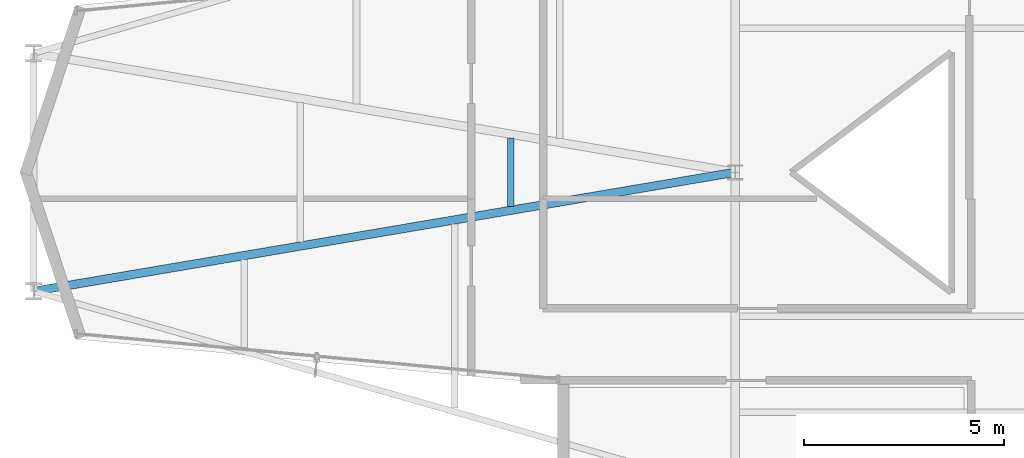
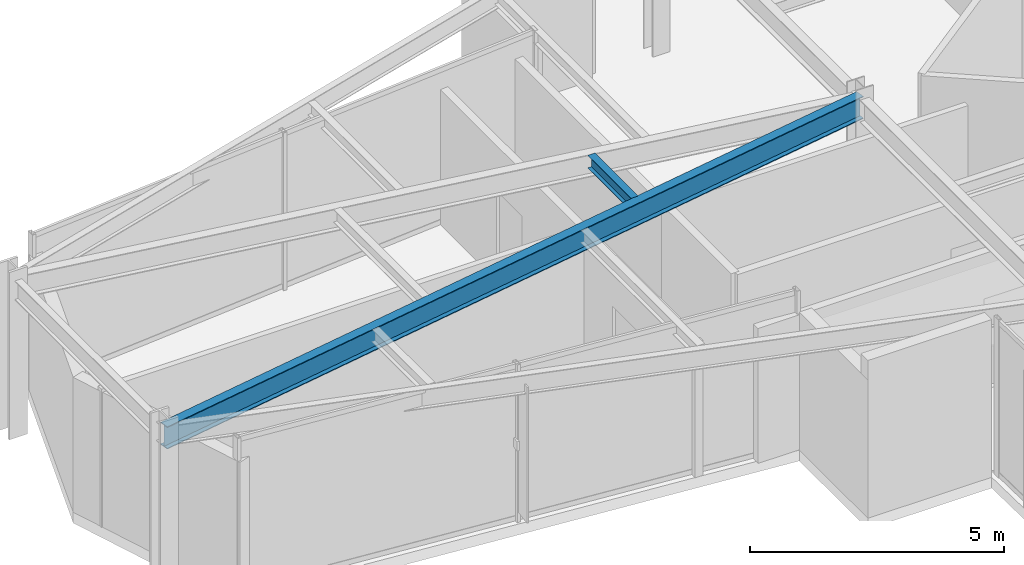
# One storey, part 5 of 24: 2 beams.
"""IFC4 building model written with IfcOpenShell, lengths in metres."""

from ifc_helpers import new_model, si_unit, direction, frame, origin, origin_2d, place, context, subcontext, project, spatial, i_section, extrude, material, material_profile, profile_set, type_object, element, save


model = new_model("IFC4")

# Units and contexts
model_context = context("Model", 3, precision=1e-05, world=origin(), true_north=direction((0.0, 1.0)))
body_context = subcontext(model_context, "Body", "Model", "MODEL_VIEW")
ifc_project = project(units=[si_unit("LENGTHUNIT", "METRE"), si_unit("AREAUNIT", "SQUARE_METRE"), si_unit("VOLUMEUNIT", "CUBIC_METRE"), si_unit("PLANEANGLEUNIT", "RADIAN"), si_unit("MASSUNIT", "GRAM", prefix="KILO")], contexts=[model_context])

# Site, building, storey
site_placement = place(None, origin())
site = spatial("IfcSite", under=ifc_project, at=site_placement, CompositionType="ELEMENT")
building_placement = place(site_placement, origin())
building = spatial("IfcBuilding", under=site, at=building_placement, Name="Veymaron Broadcast Tower", CompositionType="ELEMENT")
storey_placement = place(building_placement, frame((0.0, 0.0, 220.199951171875)))
storey = spatial("IfcBuildingStorey", under=building, at=storey_placement, Name="L51", CompositionType="ELEMENT", Elevation=220.199951171875)

# Beams
ifc_material = material(Name="Structural steel ASTM A992 Gr 50", Category="steel")
ifc_material_profile_1 = material_profile(ifc_material, i_section(OverallWidth=0.2099609375, OverallDepth=0.537109375, WebThickness=0.010986328125, FlangeThickness=0.017333984375, at=origin_2d()), Name="W530X101")
ifc_profile_set_1 = profile_set([ifc_material_profile_1], Name="Structural steel ASTM A992 Gr 50")
beam_type_1 = type_object("IfcBeamType", Name="BM-FG3", PredefinedType="BEAM", material=ifc_profile_set_1)
beam_1_placement = place(storey_placement, frame((13.6650390625, 21.02490234375, 3.521484375), z_axis=(0.985910023747, 0.167276492897, 0.0), x_axis=(-0.167276492897, 0.985910023747, 0.0)))
element("IfcBeam", 1, at=beam_1_placement, inside=storey, type_object=beam_type_1, Name="L51 primary structural floor girder", PredefinedType="BEAM", context=body_context, shape_type="SweptSolid", body=[
    extrude(i_section(OverallWidth=0.2099609375, OverallDepth=0.537109375, WebThickness=0.010986328125, FlangeThickness=0.017333984375, at=origin_2d()), origin(), (0.0, 0.0, 1.0), 17.785400390625),
])
ifc_material_profile_2 = material_profile(ifc_material, i_section(OverallWidth=0.1650390625, OverallDepth=0.31005859375, WebThickness=0.005859375, FlangeThickness=0.009765625, at=origin_2d()), Name="W310X39")
ifc_profile_set_2 = profile_set([ifc_material_profile_2], Name="Structural steel ASTM A992 Gr 50")
beam_type_2 = type_object("IfcBeamType", Name="BM-JS3", PredefinedType="JOIST", material=ifc_profile_set_2)
beam_2_placement = place(storey_placement, frame((25.5888671875, 23.14794921875, 3.635009765625), z_axis=(0.0, 1.0, 0.0), x_axis=(-1.0, 0.0, 0.0)))
element("IfcBeam", 2, at=beam_2_placement, inside=storey, type_object=beam_type_2, Name="L51 Arm-A secondary joist 2M", PredefinedType="JOIST", context=body_context, shape_type="SweptSolid", body=[
    extrude(i_section(OverallWidth=0.1650390625, OverallDepth=0.31005859375, WebThickness=0.005859375, FlangeThickness=0.009765625, at=origin_2d()), origin(), (0.0, 0.0, 1.0), 1.7041015625),
])

save(model, "model.ifc")
